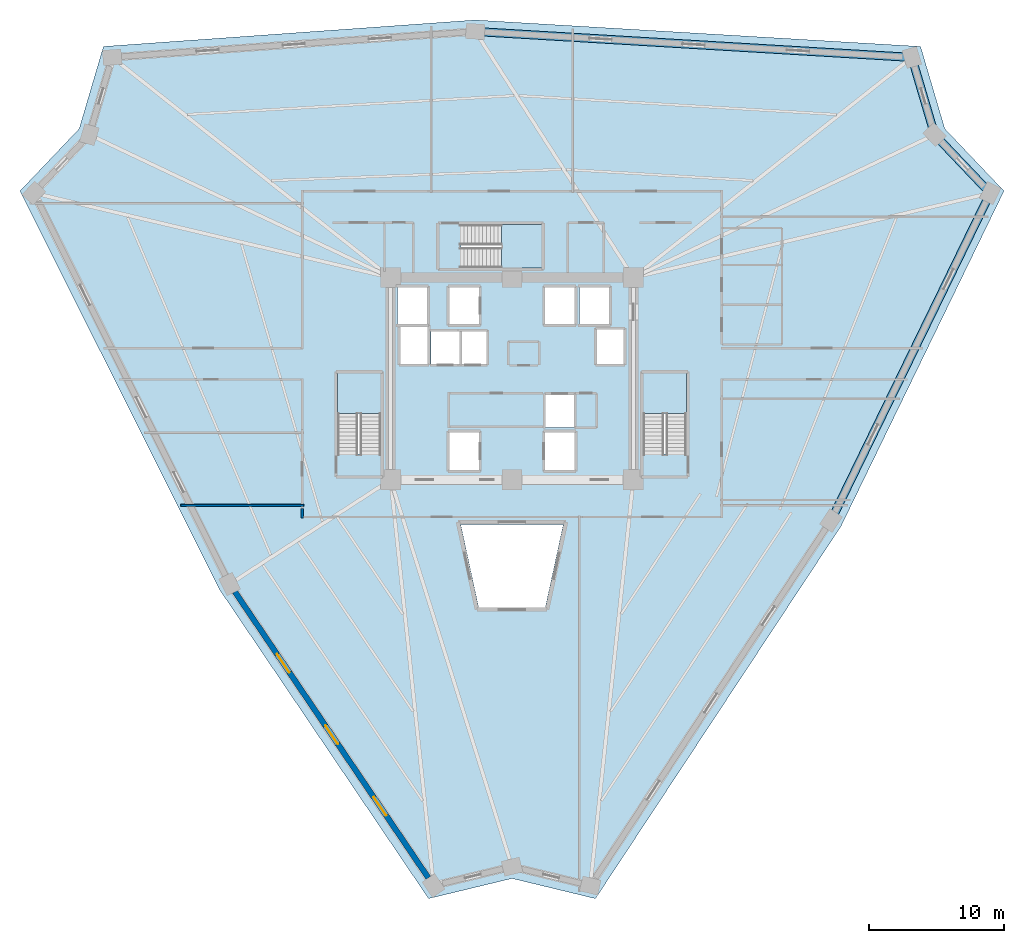
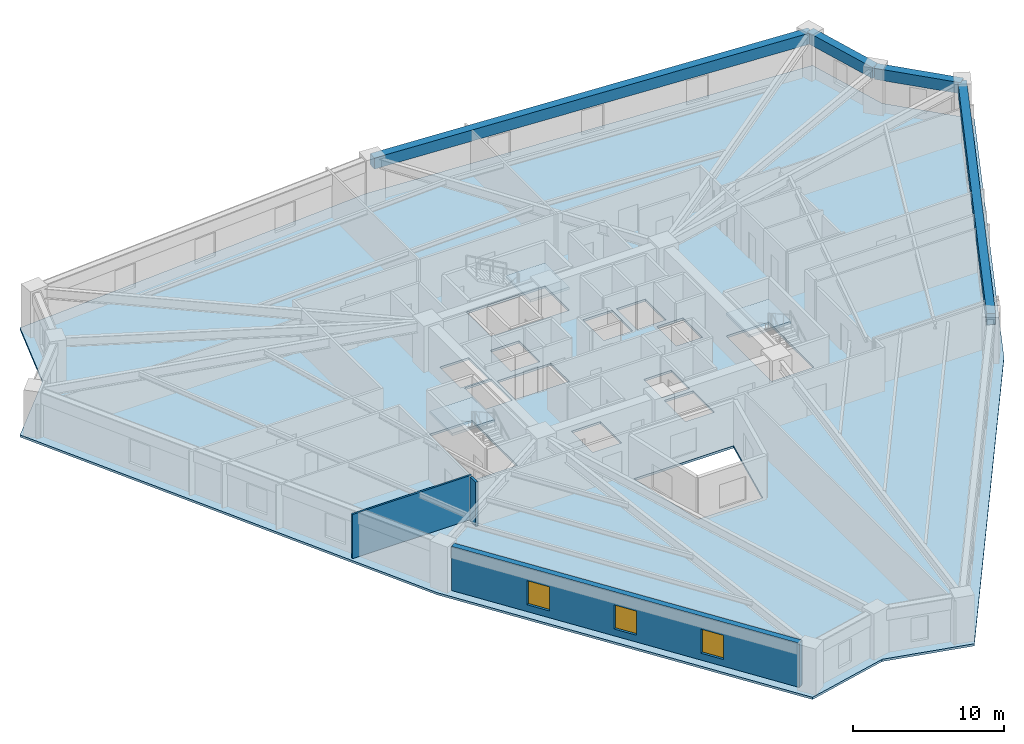
# One storey, part 2 of 8: 4 beams, 4 slabs, 3 walls, 3 windows, 3 openings, 3 elements without a shape of their own.
"""IFC4 building model written with IfcOpenShell, lengths in metres."""

from ifc_helpers import new_model, si_unit, direction, frame, frame_2d, origin, origin_2d, place, context, subcontext, project, spatial, polyline, rectangle, outline, extrude, source, transform, mapped, material, layer, layer_set, material_profile, profile_set, type_object, element, fill, aggregate, save


model = new_model("IFC4")

# Units and contexts
model_context = context("Model", 3, precision=1e-05, world=origin(), true_north=direction((0.0, 1.0)))
body_context = subcontext(model_context, "Body", "Model", "MODEL_VIEW")
ifc_project = project(units=[si_unit("LENGTHUNIT", "METRE"), si_unit("AREAUNIT", "SQUARE_METRE"), si_unit("VOLUMEUNIT", "CUBIC_METRE"), si_unit("PLANEANGLEUNIT", "RADIAN"), si_unit("MASSUNIT", "GRAM", prefix="KILO")], contexts=[model_context])

# Site, building, storey
site_placement = place(None, origin())
site = spatial("IfcSite", under=ifc_project, at=site_placement, CompositionType="ELEMENT")
building_placement = place(site_placement, origin())
building = spatial("IfcBuilding", under=site, at=building_placement, Name="Liaohun Quay Tower", CompositionType="ELEMENT")
storey_placement = place(building_placement, frame((0.0, 0.0, 147.75)))
storey = spatial("IfcBuildingStorey", under=building, at=storey_placement, Name="L38", CompositionType="ELEMENT", Elevation=147.75)

# Beams
ifc_material_1 = material(Name="Precast concrete C55", Category="concrete")
ifc_material_profile = material_profile(ifc_material_1, rectangle(XDim=0.60009765625, YDim=0.89990234375, at=origin_2d()), Name="RC600x900")
ifc_profile_set = profile_set([ifc_material_profile], Name="Precast concrete C55")
beam_type = type_object("IfcBeamType", Name="BM-SPD-Z2", PredefinedType="SPANDREL", material=ifc_profile_set)
shared_shape_1 = source(origin(), body_context, "Body", "SweptSolid", [
    extrude(rectangle(XDim=0.60009765625, YDim=0.89990234375, at=origin_2d()), origin(), (0.0, 0.0, 1.0), 32.43701171875),
])
beam_1_placement = place(storey_placement, frame((57.278076171875, 79.75390625, 3.1201171875), z_axis=(0.998239629669, -0.059309710482, 0.0), x_axis=(0.059309710482, 0.998239629669, 0.0)))
element("IfcBeam", 1, at=beam_1_placement, inside=storey, type_object=beam_type, Name="L38 Precast Spandrel Beam PC06-PC07", PredefinedType="SPANDREL", context=body_context, shape_type="MappedRepresentation", body=[
    mapped(shared_shape_1, transform((0.0, 0.0, 0.0), x_axis=(1.0, 0.0, 0.0), y_axis=(0.0, 1.0, 0.0), z_axis=(0.0, 0.0, 1.0), scale=1.0)),
])
shared_shape_2 = source(origin(), body_context, "Body", "SweptSolid", [
    extrude(rectangle(XDim=0.60009765625, YDim=0.89990234375, at=origin_2d()), origin(), (0.0, 0.0, 1.0), 5.974853515625),
])
beam_2_placement = place(storey_placement, frame((89.657958984375, 77.830078125, 3.1201171875), z_axis=(0.28283876691, -0.959167468137, 0.0), x_axis=(0.959167468137, 0.28283876691, 0.0)))
element("IfcBeam", 2, at=beam_2_placement, inside=storey, type_object=beam_type, Name="L38 Precast Spandrel Beam PC07-PC08", PredefinedType="SPANDREL", context=body_context, shape_type="MappedRepresentation", body=[
    mapped(shared_shape_2, transform((0.0, 0.0, 0.0), x_axis=(1.0, 0.0, 0.0), y_axis=(0.0, 1.0, 0.0), z_axis=(0.0, 0.0, 1.0), scale=1.0)),
])
shared_shape_3 = source(origin(), body_context, "Body", "SweptSolid", [
    extrude(rectangle(XDim=0.60009765625, YDim=0.89990234375, at=origin_2d()), origin(), (0.0, 0.0, 1.0), 5.9833984375),
])
beam_3_placement = place(storey_placement, frame((91.347900390625, 72.09912109375, 3.1201171875), z_axis=(0.689239366018, -0.724533709589, 0.0), x_axis=(0.724533709589, 0.689239366018, 0.0)))
element("IfcBeam", 3, at=beam_3_placement, inside=storey, type_object=beam_type, Name="L38 Precast Spandrel Beam PC08-PC09", PredefinedType="SPANDREL", context=body_context, shape_type="MappedRepresentation", body=[
    mapped(shared_shape_3, transform((0.0, 0.0, 0.0), x_axis=(1.0, 0.0, 0.0), y_axis=(0.0, 1.0, 0.0), z_axis=(0.0, 0.0, 1.0), scale=1.0)),
])
shared_shape_4 = source(origin(), body_context, "Body", "SweptSolid", [
    extrude(rectangle(XDim=0.60009765625, YDim=0.89990234375, at=origin_2d()), origin(), (0.0, 0.0, 1.0), 27.000732421875),
])
beam_4_placement = place(storey_placement, frame((95.471923828125, 67.763916015625, 3.1201171875), z_axis=(-0.437243394356, -0.899343212624, 0.0), x_axis=(0.899343212624, -0.437243394356, 0.0)))
element("IfcBeam", 4, at=beam_4_placement, inside=storey, type_object=beam_type, Name="L38 Precast Spandrel Beam PC09-PC10", PredefinedType="SPANDREL", context=body_context, shape_type="MappedRepresentation", body=[
    mapped(shared_shape_4, transform((0.0, 0.0, 0.0), x_axis=(1.0, 0.0, 0.0), y_axis=(0.0, 1.0, 0.0), z_axis=(0.0, 0.0, 1.0), scale=1.0)),
])

# Stair, slab
ifc_material_2 = material(Name="Concrete C45", Category="concrete")
stair_type = type_object("IfcStairType", Name="STR-CORE-OFF", PredefinedType="HALF_TURN_STAIR", material=ifc_material_2)
stair_1_placement = place(storey_placement, origin())
stair_1 = element("IfcStair", 5, at=stair_1_placement, inside=storey, type_object=stair_type, Name="L38 Smokeproof Core Exit Stair ST-1", PredefinedType="HALF_TURN_STAIR")
ifc_layer_1 = layer(ifc_material_2, 0.199951171875, Name="Concrete C45", Category="concrete")
ifc_layer_set_1 = layer_set([ifc_layer_1], Name="Concrete C45")
slab_type_1 = type_object("IfcSlabType", Name="SLB-LND-200", PredefinedType="LANDING", material=ifc_layer_set_1)
slab_1_placement = place(storey_placement, frame((0.0, 0.0, 1.675048828125)))
slab_1 = element("IfcSlab", 6, at=slab_1_placement, type_object=slab_type_1, Name="ST-1 landing 1", PredefinedType="LANDING", context=body_context, shape_type="SweptSolid", body=[
    extrude(outline(polyline([(50.280029296875, 51.429931640625), (50.280029296875, 54.419921875), (47.0400390625, 54.419921875), (47.0400390625, 51.429931640625), (50.280029296875, 51.429931640625)])), origin(), (0.0, 0.0, 1.0), 0.199951171875),
])
aggregate(stair_1, [slab_1])

stair_2_placement = place(storey_placement, origin())
stair_2 = element("IfcStair", 7, at=stair_2_placement, inside=storey, type_object=stair_type, Name="L38 Smokeproof Core Exit Stair ST-2", PredefinedType="HALF_TURN_STAIR")
slab_2_placement = place(storey_placement, frame((0.0, 0.0, 1.675048828125)))
slab_2 = element("IfcSlab", 8, at=slab_2_placement, type_object=slab_type_1, Name="ST-2 landing 1", PredefinedType="LANDING", context=body_context, shape_type="SweptSolid", body=[
    extrude(outline(polyline([(72.9599609375, 51.429931640625), (72.9599609375, 54.419921875), (69.719970703125, 54.419921875), (69.719970703125, 51.429931640625), (72.9599609375, 51.429931640625)])), origin(), (0.0, 0.0, 1.0), 0.199951171875),
])
aggregate(stair_2, [slab_2])

stair_3_placement = place(storey_placement, origin())
stair_3 = element("IfcStair", 9, at=stair_3_placement, inside=storey, type_object=stair_type, Name="L38 Smokeproof Core Exit Stair ST-3", PredefinedType="HALF_TURN_STAIR")
slab_3_placement = place(storey_placement, frame((0.0, 0.0, 1.675048828125)))
slab_3 = element("IfcSlab", 10, at=slab_3_placement, type_object=slab_type_1, Name="ST-3 landing 1", PredefinedType="LANDING", context=body_context, shape_type="SweptSolid", body=[
    extrude(outline(polyline([(59.22998046875, 62.199951171875), (62.219970703125, 62.199951171875), (62.219970703125, 65.43994140625), (59.22998046875, 65.43994140625), (59.22998046875, 62.199951171875)])), origin(), (0.0, 0.0, 1.0), 0.199951171875),
])
aggregate(stair_3, [slab_3])

# Slab
ifc_layer_2 = layer(ifc_material_2, 0.179931640625, Name="Concrete C45", Category="concrete")
ifc_layer_set_2 = layer_set([ifc_layer_2], Name="Concrete C45")
slab_type_2 = type_object("IfcSlabType", Name="SLB-OFF-180", PredefinedType="FLOOR", material=ifc_layer_set_2)
slab_4_placement = place(storey_placement, frame((0.0, 0.0, -0.179931640625)))
element("IfcSlab", 11, at=slab_4_placement, inside=storey, type_object=slab_type_2, Name="L38 Structural Floor Slab", PredefinedType="FLOOR", context=body_context, shape_type="SweptSolid", body=[
    extrude(outline(polyline([(53.81103515625, 15.43310546875), (60.0, 16.927978515625), (66.18896484375, 15.43310546875), (84.406005859375, 43.05908203125), (96.493896484375, 67.923095703125), (92.10498046875, 72.535888671875), (90.304931640625, 78.64306640625), (57.27294921875, 80.60595703125), (29.695068359375, 78.64306640625), (27.89501953125, 72.535888671875), (23.506103515625, 67.923095703125), (38.322021484375, 38.3349609375), (53.81103515625, 15.43310546875)]), holes=[polyline([(57.56005859375, 50.030029296875), (55.340087890625, 50.030029296875), (55.340087890625, 47.2099609375), (57.56005859375, 47.2099609375), (57.56005859375, 50.030029296875)]), polyline([(50.280029296875, 54.419921875), (47.0400390625, 54.419921875), (47.0400390625, 48.409912109375), (50.280029296875, 48.409912109375), (50.280029296875, 54.419921875)]), polyline([(53.989990234375, 55.090087890625), (58.110107421875, 55.090087890625), (58.110107421875, 57.510009765625), (53.989990234375, 57.510009765625), (53.989990234375, 55.090087890625)]), polyline([(53.760009765625, 55.090087890625), (53.760009765625, 57.909912109375), (51.7099609375, 57.909912109375), (51.7099609375, 55.090087890625), (53.760009765625, 55.090087890625)]), polyline([(53.7099609375, 58.0400390625), (53.7099609375, 60.7900390625), (51.489990234375, 60.7900390625), (51.489990234375, 58.0400390625), (53.7099609375, 58.0400390625)]), polyline([(57.56005859375, 58.0400390625), (57.56005859375, 60.7900390625), (55.340087890625, 60.7900390625), (55.340087890625, 58.0400390625), (57.56005859375, 58.0400390625)]), polyline([(62.219970703125, 62.199951171875), (62.219970703125, 65.43994140625), (56.2099609375, 65.43994140625), (56.2099609375, 62.199951171875), (62.219970703125, 62.199951171875)]), polyline([(62.472900390625, 37.0390625), (63.804931640625, 43.199951171875), (56.195068359375, 43.199951171875), (57.527099609375, 37.0390625), (62.472900390625, 37.0390625)]), polyline([(64.659912109375, 47.2099609375), (64.659912109375, 50.030029296875), (62.43994140625, 50.030029296875), (62.43994140625, 47.2099609375), (64.659912109375, 47.2099609375)]), polyline([(72.9599609375, 54.419921875), (69.719970703125, 54.419921875), (69.719970703125, 48.409912109375), (72.9599609375, 48.409912109375), (72.9599609375, 54.419921875)]), polyline([(64.610107421875, 50.389892578125), (64.610107421875, 52.81005859375), (62.489990234375, 52.81005859375), (62.489990234375, 50.389892578125), (64.610107421875, 50.389892578125)]), polyline([(68.2900390625, 55.090087890625), (68.2900390625, 57.659912109375), (66.2900390625, 57.659912109375), (66.2900390625, 55.090087890625), (68.2900390625, 55.090087890625)]), polyline([(64.659912109375, 58.0400390625), (64.659912109375, 60.7900390625), (62.43994140625, 60.7900390625), (62.43994140625, 58.0400390625), (64.659912109375, 58.0400390625)]), polyline([(67.2099609375, 58.0400390625), (67.2099609375, 60.7900390625), (64.989990234375, 60.7900390625), (64.989990234375, 58.0400390625), (67.2099609375, 58.0400390625)])]), origin(), (0.0, 0.0, 1.0), 0.179931640625),
])

# Wall, openings, windows
ifc_material_3 = material(Name="Precast concrete C50 insulated sandwich", Category="concrete")
ifc_layer_3 = layer(ifc_material_3, 0.419921875, Name="Precast concrete C50 insulated sandwich", Category="concrete")
ifc_layer_set_3 = layer_set([ifc_layer_3], Name="Precast concrete C50 insulated sandwich")
wall_type_1 = type_object("IfcWallType", Name="WAL-EXT-Z12", PredefinedType="SOLIDWALL", material=ifc_layer_set_3)
wall_1_placement = place(storey_placement, frame((39.444091796875, 38.193115234375, 0.0), z_axis=(0.0, 0.0, 1.0), x_axis=(0.560233610346, -0.828334655703, 0.0)))
wall_1 = element("IfcWall", 12, at=wall_1_placement, inside=storey, type_object=wall_type_1, Name="L38 Brutalist Precast Pier Wall 11", PredefinedType="SOLIDWALL", context=body_context, shape_type="SweptSolid", body=[
    extrude(rectangle(XDim=25.62158203125, YDim=0.419921875, at=frame_2d((12.810791015625, 0.0))), origin(), (0.0, 0.0, 1.0), 3.570068359375),
])
shared_shape_5 = source(origin(), body_context, "Body", "SweptSolid", [
    extrude(rectangle(XDim=1.64990234375, YDim=1.949951171875, at=frame_2d((0.824951171875, 0.97509765625))), frame((0.0, 0.219970703125, 0.0), z_axis=(0.0, -1.0, 0.0), x_axis=(1.0, 0.0, 0.0)), (0.0, 0.0, 1.0), 0.43994140625),
])
opening_1_placement = place(wall_1_placement, frame((5.580078125, 0.0, 0.550048828125)))
opening_1 = element("IfcOpeningElement", 13, at=opening_1_placement, cuts=wall_1, Name="Opening W02", PredefinedType="OPENING", context=body_context, shape_type="MappedRepresentation", body=[
    mapped(shared_shape_5, transform((0.0, 0.0, 0.0), x_axis=(1.0, 0.0, 0.0), y_axis=(0.0, 1.0, 0.0), z_axis=(0.0, 0.0, 1.0), scale=1.0)),
])
opening_2_placement = place(wall_1_placement, frame((11.986083984375, 0.0, 0.550048828125)))
opening_2 = element("IfcOpeningElement", 14, at=opening_2_placement, cuts=wall_1, Name="Opening W02", PredefinedType="OPENING", context=body_context, shape_type="MappedRepresentation", body=[
    mapped(shared_shape_5, transform((0.0, 0.0, 0.0), x_axis=(1.0, 0.0, 0.0), y_axis=(0.0, 1.0, 0.0), z_axis=(0.0, 0.0, 1.0), scale=1.0)),
])
opening_3_placement = place(wall_1_placement, frame((18.39111328125, 0.0, 0.550048828125)))
opening_3 = element("IfcOpeningElement", 15, at=opening_3_placement, cuts=wall_1, Name="Opening W02", PredefinedType="OPENING", context=body_context, shape_type="MappedRepresentation", body=[
    mapped(shared_shape_5, transform((0.0, 0.0, 0.0), x_axis=(1.0, 0.0, 0.0), y_axis=(0.0, 1.0, 0.0), z_axis=(0.0, 0.0, 1.0), scale=1.0)),
])
ifc_material_4 = material(Name="Triple Low-E argon glazing in thermally broken aluminium", Category="aluminium")
window_type = type_object("IfcWindowType", Name="WIN-PUN-Z2", PartitioningType="DOUBLE_PANEL_VERTICAL", PredefinedType="WINDOW", material=ifc_material_4)
shared_shape_6 = source(origin(), body_context, "Body", "SweptSolid", [
    extrude(rectangle(XDim=1.64990234375, YDim=1.949951171875, at=frame_2d((0.824951171875, 0.97509765625))), frame((0.0, 0.030029296875, 0.0), z_axis=(0.0, -1.0, 0.0), x_axis=(1.0, 0.0, 0.0)), (0.0, 0.0, 1.0), 0.06005859375),
])
window_1_placement = place(opening_1_placement, origin())
window_1 = element("IfcWindow", 16, at=window_1_placement, inside=storey, type_object=window_type, Name="L38 Recessed Cold-Climate Punched Window 11-1", OverallHeight=1.949951171875, OverallWidth=1.64990234375, PartitioningType="DOUBLE_PANEL_VERTICAL", PredefinedType="WINDOW", context=body_context, shape_type="MappedRepresentation", body=[
    mapped(shared_shape_6, transform((0.0, 0.0, 0.0), x_axis=(1.0, 0.0, 0.0), y_axis=(0.0, 1.0, 0.0), z_axis=(0.0, 0.0, 1.0), scale=1.0)),
])
fill(opening_1, window_1)
window_2_placement = place(opening_2_placement, origin())
window_2 = element("IfcWindow", 17, at=window_2_placement, inside=storey, type_object=window_type, Name="L38 Recessed Cold-Climate Punched Window 11-2", OverallHeight=1.949951171875, OverallWidth=1.64990234375, PartitioningType="DOUBLE_PANEL_VERTICAL", PredefinedType="WINDOW", context=body_context, shape_type="MappedRepresentation", body=[
    mapped(shared_shape_6, transform((0.0, 0.0, 0.0), x_axis=(1.0, 0.0, 0.0), y_axis=(0.0, 1.0, 0.0), z_axis=(0.0, 0.0, 1.0), scale=1.0)),
])
fill(opening_2, window_2)
window_3_placement = place(opening_3_placement, origin())
window_3 = element("IfcWindow", 18, at=window_3_placement, inside=storey, type_object=window_type, Name="L38 Recessed Cold-Climate Punched Window 11-3", OverallHeight=1.949951171875, OverallWidth=1.64990234375, PartitioningType="DOUBLE_PANEL_VERTICAL", PredefinedType="WINDOW", context=body_context, shape_type="MappedRepresentation", body=[
    mapped(shared_shape_6, transform((0.0, 0.0, 0.0), x_axis=(1.0, 0.0, 0.0), y_axis=(0.0, 1.0, 0.0), z_axis=(0.0, 0.0, 1.0), scale=1.0)),
])
fill(opening_3, window_3)

# Walls
ifc_material_5 = material(Name="Autoclaved aerated concrete blockwork", Category="masonry")
ifc_layer_4 = layer(ifc_material_5, 0.179931640625, Name="Autoclaved aerated concrete blockwork", Category="masonry")
ifc_layer_set_4 = layer_set([ifc_layer_4], Name="Autoclaved aerated concrete blockwork")
wall_type_2 = type_object("IfcWallType", Name="WAL-PRT-COR", PredefinedType="PARTITIONING", material=ifc_layer_set_4)
wall_2_placement = place(storey_placement, frame((44.43994140625, 43.669921875, 0.0), z_axis=(0.0, 0.0, 1.0), x_axis=(0.0, 1.0, 0.0)))
element("IfcWall", 19, at=wall_2_placement, inside=storey, type_object=wall_type_2, Name="L38 Interior Partition Wall 041", PredefinedType="PARTITIONING", context=body_context, shape_type="SweptSolid", body=[
    extrude(rectangle(XDim=0.715087890625, YDim=0.179931640625, at=frame_2d((0.357421875, 0.0))), origin(), (0.0, 0.0, 1.0), 3.570068359375),
])
ifc_material_6 = material(Name="Gypsum board on twin steel studs", Category="steel")
ifc_layer_5 = layer(ifc_material_6, 0.139892578125, Name="Gypsum board on twin steel studs", Category="steel")
ifc_layer_set_5 = layer_set([ifc_layer_5], Name="Gypsum board on twin steel studs")
wall_type_3 = type_object("IfcWallType", Name="WAL-PRT-OFF", PredefinedType="PARTITIONING", material=ifc_layer_set_5)
wall_3_placement = place(storey_placement, frame((44.5400390625, 44.60009765625, 0.0), z_axis=(0.0, 0.0, 1.0), x_axis=(-1.0, 0.0, 0.0)))
element("IfcWall", 20, at=wall_3_placement, inside=storey, type_object=wall_type_3, Name="L38 Interior Partition Wall 044", PredefinedType="PARTITIONING", context=body_context, shape_type="SweptSolid", body=[
    extrude(rectangle(XDim=9.109130859375, YDim=0.139892578125, at=frame_2d((4.5546875, 0.0))), origin(), (0.0, 0.0, 1.0), 3.570068359375),
])

save(model, "model.ifc")
